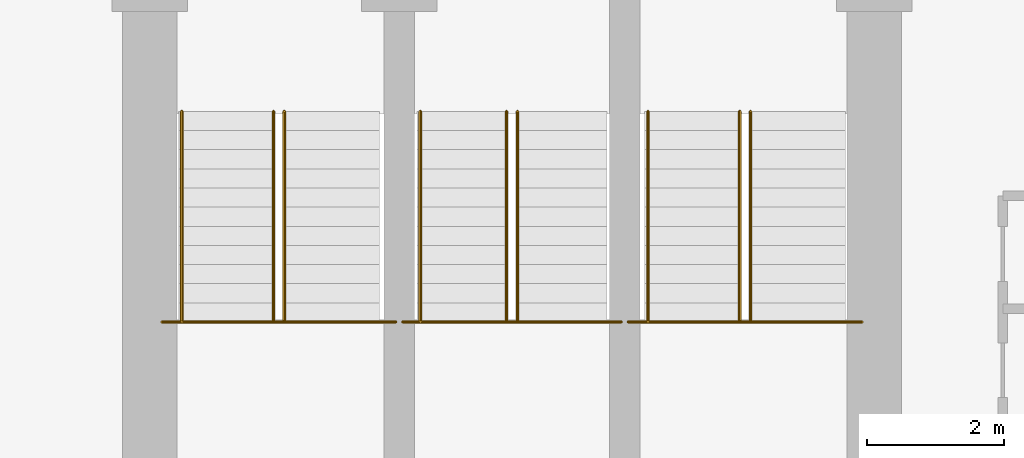
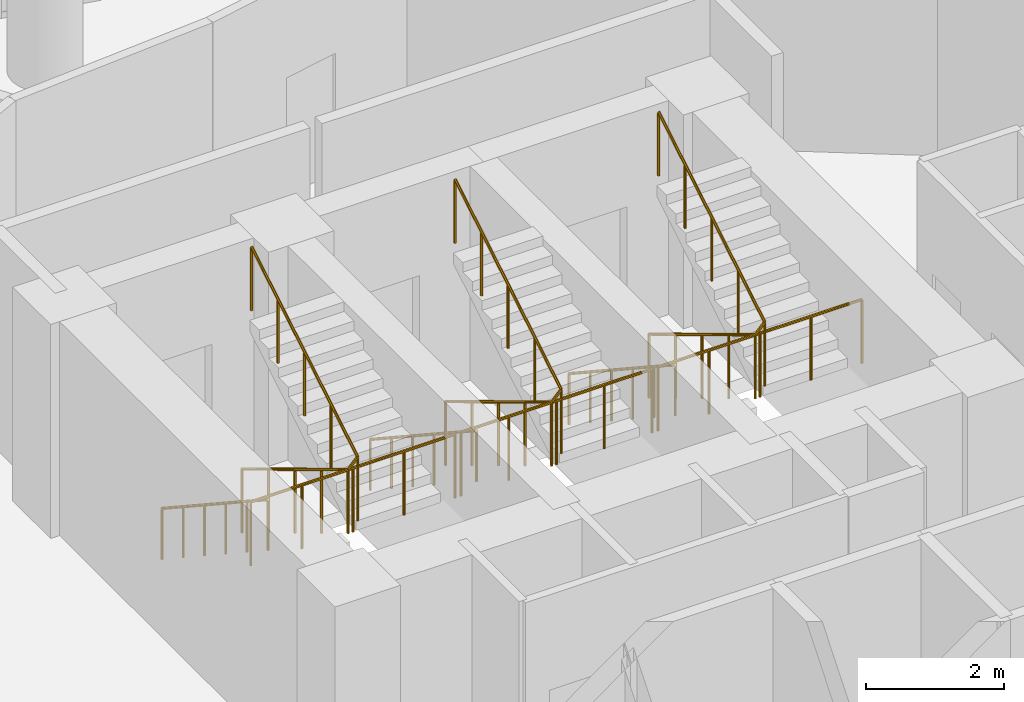
# One storey, part 24 of 24: 9 railings.
"""IFC4 building model written with IfcOpenShell, lengths in metres."""

from ifc_helpers import new_model, si_unit, direction, frame, origin, place, context, subcontext, project, spatial, polyline, outline, extrude, material, type_object, element, save


model = new_model("IFC4")

# Units and contexts
model_context = context("Model", 3, precision=1e-05, world=origin(), true_north=direction((0.0, 1.0)))
body_context = subcontext(model_context, "Body", "Model", "MODEL_VIEW")
ifc_project = project(units=[si_unit("LENGTHUNIT", "METRE"), si_unit("AREAUNIT", "SQUARE_METRE"), si_unit("VOLUMEUNIT", "CUBIC_METRE"), si_unit("PLANEANGLEUNIT", "RADIAN"), si_unit("MASSUNIT", "GRAM", prefix="KILO")], contexts=[model_context])

# Site, building, storey
site_placement = place(None, origin())
site = spatial("IfcSite", under=ifc_project, at=site_placement, CompositionType="ELEMENT")
building_placement = place(site_placement, origin())
building = spatial("IfcBuilding", under=site, at=building_placement, Name="Nuhasar Tower", CompositionType="ELEMENT")
storey_placement = place(building_placement, frame((0.0, 0.0, 29.10009765625)))
storey = spatial("IfcBuildingStorey", under=building, at=storey_placement, Name="L06", CompositionType="ELEMENT", Elevation=29.10009765625)

# Railings
ifc_material_1 = material(Name="Steel S355", Category="steel")
railing_type_1 = type_object("IfcRailingType", Name="RLG-STAIR-GUARD-1150", PredefinedType="GUARDRAIL", material=ifc_material_1)
railing_1_placement = place(storey_placement, frame((33.8798828125, 32.205078125, 2.02490234375)))
element("IfcRailing", 1, at=railing_1_placement, inside=storey, type_object=railing_type_1, Name="L06 Stair ST-01 Guardrail LND", PredefinedType="GUARDRAIL", context=body_context, shape_type="SweptSolid", body=[
    extrude(outline(polyline([(0.024169921875, 0.0), (0.01708984375, 0.01708984375), (0.0, 0.024169921875), (-0.01708984375, 0.01708984375), (-0.024169921875, 0.0), (-0.01708984375, -0.01708984375), (0.0, -0.024169921875), (0.01708984375, -0.01708984375), (0.024169921875, 0.0)])), frame((0.0, 0.0, 1.1259765625), z_axis=(1.0, 0.0, 0.0), x_axis=(0.0, 1.0, 0.0)), (0.0, 0.0, 1.0), 3.420166015625),
    extrude(outline(polyline([(0.02099609375, 0.0), (0.014892578125, 0.014892578125), (0.0, 0.02099609375), (-0.014892578125, 0.014892578125), (-0.02099609375, 0.0), (-0.014892578125, -0.014892578125), (0.0, -0.02099609375), (0.014892578125, -0.014892578125), (0.02099609375, 0.0)])), origin(), (0.0, 0.0, 1.0), 1.101806640625),
    extrude(outline(polyline([(0.02099609375, 0.0), (0.014892578125, 0.014892578125), (0.0, 0.02099609375), (-0.014892578125, 0.014892578125), (-0.02099609375, 0.0), (-0.014892578125, -0.014892578125), (0.0, -0.02099609375), (0.014892578125, -0.014892578125), (0.02099609375, 0.0)])), frame((0.85498046875, 0.0, 0.0)), (0.0, 0.0, 1.0), 1.101806640625),
    extrude(outline(polyline([(0.02099609375, 0.0), (0.014892578125, 0.014892578125), (0.0, 0.02099609375), (-0.014892578125, 0.014892578125), (-0.02099609375, 0.0), (-0.014892578125, -0.014892578125), (0.0, -0.02099609375), (0.014892578125, -0.014892578125), (0.02099609375, 0.0)])), frame((1.7099609375, 0.0, 0.0)), (0.0, 0.0, 1.0), 1.101806640625),
    extrude(outline(polyline([(0.02099609375, 0.0), (0.014892578125, 0.014892578125), (0.0, 0.02099609375), (-0.014892578125, 0.014892578125), (-0.02099609375, 0.0), (-0.014892578125, -0.014892578125), (0.0, -0.02099609375), (0.014892578125, -0.014892578125), (0.02099609375, 0.0)])), frame((2.565185546875, 0.0, 0.0)), (0.0, 0.0, 1.0), 1.101806640625),
    extrude(outline(polyline([(0.02099609375, 0.0), (0.014892578125, 0.014892578125), (0.0, 0.02099609375), (-0.014892578125, 0.014892578125), (-0.02099609375, 0.0), (-0.014892578125, -0.014892578125), (0.0, -0.02099609375), (0.014892578125, -0.014892578125), (0.02099609375, 0.0)])), frame((3.420166015625, 0.0, 0.0)), (0.0, 0.0, 1.0), 1.101806640625),
])
railing_2_placement = place(storey_placement, frame((35.510009765625, 35.284912109375, 0.1689453125)))
element("IfcRailing", 2, at=railing_2_placement, inside=storey, type_object=railing_type_1, Name="L06 Stair ST-01 Guardrail SLT", PredefinedType="GUARDRAIL", context=body_context, shape_type="SweptSolid", body=[
    extrude(outline(polyline([(0.024169921875, 0.0), (0.01708984375, 0.01708984375), (0.0, 0.024169921875), (-0.01708984375, 0.01708984375), (-0.024169921875, 0.0), (-0.01708984375, -0.01708984375), (0.0, -0.024169921875), (0.01708984375, -0.01708984375), (0.024169921875, 0.0)])), frame((0.0, 0.0, 1.1259765625), z_axis=(0.0, -0.856502863198, 0.516142272377), x_axis=(1.0, 0.0, 0.0)), (0.0, 0.0, 1.0), 3.595703125),
    extrude(outline(polyline([(0.024169921875, 0.0), (0.01708984375, 0.01708984375), (0.0, 0.024169921875), (-0.01708984375, 0.01708984375), (-0.024169921875, 0.0), (-0.01708984375, -0.01708984375), (0.0, -0.024169921875), (0.01708984375, -0.01708984375), (0.024169921875, 0.0)])), frame((0.0, -3.079833984375, 2.98193359375), z_axis=(0.687424367727, 0.0, 0.726255973232), x_axis=(0.0, 1.0, 0.0)), (0.0, 0.0, 1.0), 0.232666015625),
    extrude(outline(polyline([(0.024169921875, 0.0), (0.01708984375, 0.01708984375), (0.0, 0.024169921875), (-0.01708984375, 0.01708984375), (-0.024169921875, 0.0), (-0.01708984375, -0.01708984375), (0.0, -0.024169921875), (0.01708984375, -0.01708984375), (0.024169921875, 0.0)])), frame((0.159912109375, -3.079833984375, 3.15087890625), z_axis=(0.0, 0.856502863198, 0.516142272377), x_axis=(-1.0, 0.0, 0.0)), (0.0, 0.0, 1.0), 3.595703125),
    extrude(outline(polyline([(0.02099609375, 0.0), (0.014892578125, 0.014892578125), (0.0, 0.02099609375), (-0.014892578125, 0.014892578125), (-0.02099609375, 0.0), (-0.014892578125, -0.014892578125), (0.0, -0.02099609375), (0.014892578125, -0.014892578125), (0.02099609375, 0.0)])), origin(), (0.0, 0.0, 1.0), 1.101806640625),
    extrude(outline(polyline([(0.02099609375, 0.0), (0.014892578125, 0.014892578125), (0.0, 0.02099609375), (-0.014892578125, 0.014892578125), (-0.02099609375, 0.0), (-0.014892578125, -0.014892578125), (0.0, -0.02099609375), (0.014892578125, -0.014892578125), (0.02099609375, 0.0)])), frame((0.0, -0.77001953125, 0.4638671875)), (0.0, 0.0, 1.0), 1.101806640625),
    extrude(outline(polyline([(0.02099609375, 0.0), (0.014892578125, 0.014892578125), (0.0, 0.02099609375), (-0.014892578125, 0.014892578125), (-0.02099609375, 0.0), (-0.014892578125, -0.014892578125), (0.0, -0.02099609375), (0.014892578125, -0.014892578125), (0.02099609375, 0.0)])), frame((0.0, -1.5400390625, 0.927978515625)), (0.0, 0.0, 1.0), 1.101806640625),
    extrude(outline(polyline([(0.02099609375, 0.0), (0.014892578125, 0.014892578125), (0.0, 0.02099609375), (-0.014892578125, 0.014892578125), (-0.02099609375, 0.0), (-0.014892578125, -0.014892578125), (0.0, -0.02099609375), (0.014892578125, -0.014892578125), (0.02099609375, 0.0)])), frame((0.0, -2.309814453125, 1.39208984375)), (0.0, 0.0, 1.0), 1.101806640625),
    extrude(outline(polyline([(0.02099609375, 0.0), (0.014892578125, 0.014892578125), (0.0, 0.02099609375), (-0.014892578125, 0.014892578125), (-0.02099609375, 0.0), (-0.014892578125, -0.014892578125), (0.0, -0.02099609375), (0.014892578125, -0.014892578125), (0.02099609375, 0.0)])), frame((0.0, -3.079833984375, 1.85595703125)), (0.0, 0.0, 1.0), 1.101806640625),
    extrude(outline(polyline([(0.02099609375, 0.0), (0.014892578125, 0.014892578125), (0.0, 0.02099609375), (-0.014892578125, 0.014892578125), (-0.02099609375, 0.0), (-0.014892578125, -0.014892578125), (0.0, -0.02099609375), (0.014892578125, -0.014892578125), (0.02099609375, 0.0)])), frame((0.159912109375, -3.079833984375, 2.02490234375)), (0.0, 0.0, 1.0), 1.101806640625),
    extrude(outline(polyline([(0.02099609375, 0.0), (0.014892578125, 0.014892578125), (0.0, 0.02099609375), (-0.014892578125, 0.014892578125), (-0.02099609375, 0.0), (-0.014892578125, -0.014892578125), (0.0, -0.02099609375), (0.014892578125, -0.014892578125), (0.02099609375, 0.0)])), frame((0.159912109375, -2.309814453125, 2.48876953125)), (0.0, 0.0, 1.0), 1.101806640625),
    extrude(outline(polyline([(0.02099609375, 0.0), (0.014892578125, 0.014892578125), (0.0, 0.02099609375), (-0.014892578125, 0.014892578125), (-0.02099609375, 0.0), (-0.014892578125, -0.014892578125), (0.0, -0.02099609375), (0.014892578125, -0.014892578125), (0.02099609375, 0.0)])), frame((0.159912109375, -1.5400390625, 2.952880859375)), (0.0, 0.0, 1.0), 1.101806640625),
    extrude(outline(polyline([(0.02099609375, 0.0), (0.014892578125, 0.014892578125), (0.0, 0.02099609375), (-0.014892578125, 0.014892578125), (-0.02099609375, 0.0), (-0.014892578125, -0.014892578125), (0.0, -0.02099609375), (0.014892578125, -0.014892578125), (0.02099609375, 0.0)])), frame((0.159912109375, -0.77001953125, 3.4169921875)), (0.0, 0.0, 1.0), 1.101806640625),
    extrude(outline(polyline([(0.02099609375, 0.0), (0.014892578125, 0.014892578125), (0.0, 0.02099609375), (-0.014892578125, 0.014892578125), (-0.02099609375, 0.0), (-0.014892578125, -0.014892578125), (0.0, -0.02099609375), (0.014892578125, -0.014892578125), (0.02099609375, 0.0)])), frame((0.159912109375, 0.0, 3.880859375)), (0.0, 0.0, 1.0), 1.101806640625),
])
railing_3_placement = place(storey_placement, frame((37.39990234375, 32.205078125, 2.02490234375)))
element("IfcRailing", 3, at=railing_3_placement, inside=storey, type_object=railing_type_1, Name="L06 Stair ST-03 Guardrail LND", PredefinedType="GUARDRAIL", context=body_context, shape_type="SweptSolid", body=[
    extrude(outline(polyline([(0.024169921875, 0.0), (0.01708984375, 0.01708984375), (0.0, 0.024169921875), (-0.01708984375, 0.01708984375), (-0.024169921875, 0.0), (-0.01708984375, -0.01708984375), (0.0, -0.024169921875), (0.01708984375, -0.01708984375), (0.024169921875, 0.0)])), frame((0.0, 0.0, 1.1259765625), z_axis=(1.0, 0.0, 0.0), x_axis=(0.0, 1.0, 0.0)), (0.0, 0.0, 1.0), 3.2001953125),
    extrude(outline(polyline([(0.02099609375, 0.0), (0.014892578125, 0.014892578125), (0.0, 0.02099609375), (-0.014892578125, 0.014892578125), (-0.02099609375, 0.0), (-0.014892578125, -0.014892578125), (0.0, -0.02099609375), (0.014892578125, -0.014892578125), (0.02099609375, 0.0)])), origin(), (0.0, 0.0, 1.0), 1.101806640625),
    extrude(outline(polyline([(0.02099609375, 0.0), (0.014892578125, 0.014892578125), (0.0, 0.02099609375), (-0.014892578125, 0.014892578125), (-0.02099609375, 0.0), (-0.014892578125, -0.014892578125), (0.0, -0.02099609375), (0.014892578125, -0.014892578125), (0.02099609375, 0.0)])), frame((0.800048828125, 0.0, 0.0)), (0.0, 0.0, 1.0), 1.101806640625),
    extrude(outline(polyline([(0.02099609375, 0.0), (0.014892578125, 0.014892578125), (0.0, 0.02099609375), (-0.014892578125, 0.014892578125), (-0.02099609375, 0.0), (-0.014892578125, -0.014892578125), (0.0, -0.02099609375), (0.014892578125, -0.014892578125), (0.02099609375, 0.0)])), frame((1.60009765625, 0.0, 0.0)), (0.0, 0.0, 1.0), 1.101806640625),
    extrude(outline(polyline([(0.02099609375, 0.0), (0.014892578125, 0.014892578125), (0.0, 0.02099609375), (-0.014892578125, 0.014892578125), (-0.02099609375, 0.0), (-0.014892578125, -0.014892578125), (0.0, -0.02099609375), (0.014892578125, -0.014892578125), (0.02099609375, 0.0)])), frame((2.400146484375, 0.0, 0.0)), (0.0, 0.0, 1.0), 1.101806640625),
    extrude(outline(polyline([(0.02099609375, 0.0), (0.014892578125, 0.014892578125), (0.0, 0.02099609375), (-0.014892578125, 0.014892578125), (-0.02099609375, 0.0), (-0.014892578125, -0.014892578125), (0.0, -0.02099609375), (0.014892578125, -0.014892578125), (0.02099609375, 0.0)])), frame((3.2001953125, 0.0, 0.0)), (0.0, 0.0, 1.0), 1.101806640625),
])
railing_4_placement = place(storey_placement, frame((38.919921875, 35.284912109375, 0.1689453125)))
element("IfcRailing", 4, at=railing_4_placement, inside=storey, type_object=railing_type_1, Name="L06 Stair ST-03 Guardrail SLT", PredefinedType="GUARDRAIL", context=body_context, shape_type="SweptSolid", body=[
    extrude(outline(polyline([(0.024169921875, 0.0), (0.01708984375, 0.01708984375), (0.0, 0.024169921875), (-0.01708984375, 0.01708984375), (-0.024169921875, 0.0), (-0.01708984375, -0.01708984375), (0.0, -0.024169921875), (0.01708984375, -0.01708984375), (0.024169921875, 0.0)])), frame((0.0, 0.0, 1.1259765625), z_axis=(0.0, -0.856502863198, 0.516142272377), x_axis=(1.0, 0.0, 0.0)), (0.0, 0.0, 1.0), 3.595703125),
    extrude(outline(polyline([(0.024169921875, 0.0), (0.01708984375, 0.01708984375), (0.0, 0.024169921875), (-0.01708984375, 0.01708984375), (-0.024169921875, 0.0), (-0.01708984375, -0.01708984375), (0.0, -0.024169921875), (0.01708984375, -0.01708984375), (0.024169921875, 0.0)])), frame((0.0, -3.079833984375, 2.98193359375), z_axis=(0.687977326998, 0.0, 0.725732180309), x_axis=(0.0, 1.0, 0.0)), (0.0, 0.0, 1.0), 0.23291015625),
    extrude(outline(polyline([(0.024169921875, 0.0), (0.01708984375, 0.01708984375), (0.0, 0.024169921875), (-0.01708984375, 0.01708984375), (-0.024169921875, 0.0), (-0.01708984375, -0.01708984375), (0.0, -0.024169921875), (0.01708984375, -0.01708984375), (0.024169921875, 0.0)])), frame((0.16015625, -3.079833984375, 3.15087890625), z_axis=(0.0, 0.856502863198, 0.516142272377), x_axis=(-1.0, 0.0, 0.0)), (0.0, 0.0, 1.0), 3.595703125),
    extrude(outline(polyline([(0.02099609375, 0.0), (0.014892578125, 0.014892578125), (0.0, 0.02099609375), (-0.014892578125, 0.014892578125), (-0.02099609375, 0.0), (-0.014892578125, -0.014892578125), (0.0, -0.02099609375), (0.014892578125, -0.014892578125), (0.02099609375, 0.0)])), origin(), (0.0, 0.0, 1.0), 1.101806640625),
    extrude(outline(polyline([(0.02099609375, 0.0), (0.014892578125, 0.014892578125), (0.0, 0.02099609375), (-0.014892578125, 0.014892578125), (-0.02099609375, 0.0), (-0.014892578125, -0.014892578125), (0.0, -0.02099609375), (0.014892578125, -0.014892578125), (0.02099609375, 0.0)])), frame((0.0, -0.77001953125, 0.4638671875)), (0.0, 0.0, 1.0), 1.101806640625),
    extrude(outline(polyline([(0.02099609375, 0.0), (0.014892578125, 0.014892578125), (0.0, 0.02099609375), (-0.014892578125, 0.014892578125), (-0.02099609375, 0.0), (-0.014892578125, -0.014892578125), (0.0, -0.02099609375), (0.014892578125, -0.014892578125), (0.02099609375, 0.0)])), frame((0.0, -1.5400390625, 0.927978515625)), (0.0, 0.0, 1.0), 1.101806640625),
    extrude(outline(polyline([(0.02099609375, 0.0), (0.014892578125, 0.014892578125), (0.0, 0.02099609375), (-0.014892578125, 0.014892578125), (-0.02099609375, 0.0), (-0.014892578125, -0.014892578125), (0.0, -0.02099609375), (0.014892578125, -0.014892578125), (0.02099609375, 0.0)])), frame((0.0, -2.309814453125, 1.39208984375)), (0.0, 0.0, 1.0), 1.101806640625),
    extrude(outline(polyline([(0.02099609375, 0.0), (0.014892578125, 0.014892578125), (0.0, 0.02099609375), (-0.014892578125, 0.014892578125), (-0.02099609375, 0.0), (-0.014892578125, -0.014892578125), (0.0, -0.02099609375), (0.014892578125, -0.014892578125), (0.02099609375, 0.0)])), frame((0.0, -3.079833984375, 1.85595703125)), (0.0, 0.0, 1.0), 1.101806640625),
    extrude(outline(polyline([(0.02099609375, 0.0), (0.014892578125, 0.014892578125), (0.0, 0.02099609375), (-0.014892578125, 0.014892578125), (-0.02099609375, 0.0), (-0.014892578125, -0.014892578125), (0.0, -0.02099609375), (0.014892578125, -0.014892578125), (0.02099609375, 0.0)])), frame((0.16015625, -3.079833984375, 2.02490234375)), (0.0, 0.0, 1.0), 1.101806640625),
    extrude(outline(polyline([(0.02099609375, 0.0), (0.014892578125, 0.014892578125), (0.0, 0.02099609375), (-0.014892578125, 0.014892578125), (-0.02099609375, 0.0), (-0.014892578125, -0.014892578125), (0.0, -0.02099609375), (0.014892578125, -0.014892578125), (0.02099609375, 0.0)])), frame((0.16015625, -2.309814453125, 2.48876953125)), (0.0, 0.0, 1.0), 1.101806640625),
    extrude(outline(polyline([(0.02099609375, 0.0), (0.014892578125, 0.014892578125), (0.0, 0.02099609375), (-0.014892578125, 0.014892578125), (-0.02099609375, 0.0), (-0.014892578125, -0.014892578125), (0.0, -0.02099609375), (0.014892578125, -0.014892578125), (0.02099609375, 0.0)])), frame((0.16015625, -1.5400390625, 2.952880859375)), (0.0, 0.0, 1.0), 1.101806640625),
    extrude(outline(polyline([(0.02099609375, 0.0), (0.014892578125, 0.014892578125), (0.0, 0.02099609375), (-0.014892578125, 0.014892578125), (-0.02099609375, 0.0), (-0.014892578125, -0.014892578125), (0.0, -0.02099609375), (0.014892578125, -0.014892578125), (0.02099609375, 0.0)])), frame((0.16015625, -0.77001953125, 3.4169921875)), (0.0, 0.0, 1.0), 1.101806640625),
    extrude(outline(polyline([(0.02099609375, 0.0), (0.014892578125, 0.014892578125), (0.0, 0.02099609375), (-0.014892578125, 0.014892578125), (-0.02099609375, 0.0), (-0.014892578125, -0.014892578125), (0.0, -0.02099609375), (0.014892578125, -0.014892578125), (0.02099609375, 0.0)])), frame((0.16015625, 0.0, 3.880859375)), (0.0, 0.0, 1.0), 1.101806640625),
])
railing_5_placement = place(storey_placement, frame((40.699951171875, 32.205078125, 2.02490234375)))
element("IfcRailing", 5, at=railing_5_placement, inside=storey, type_object=railing_type_1, Name="L06 Stair ST-02 Guardrail LND", PredefinedType="GUARDRAIL", context=body_context, shape_type="SweptSolid", body=[
    extrude(outline(polyline([(0.024169921875, 0.0), (0.01708984375, 0.01708984375), (0.0, 0.024169921875), (-0.01708984375, 0.01708984375), (-0.024169921875, 0.0), (-0.01708984375, -0.01708984375), (0.0, -0.024169921875), (0.01708984375, -0.01708984375), (0.024169921875, 0.0)])), frame((0.0, 0.0, 1.1259765625), z_axis=(1.0, 0.0, 0.0), x_axis=(0.0, 1.0, 0.0)), (0.0, 0.0, 1.0), 3.420166015625),
    extrude(outline(polyline([(0.02099609375, 0.0), (0.014892578125, 0.014892578125), (0.0, 0.02099609375), (-0.014892578125, 0.014892578125), (-0.02099609375, 0.0), (-0.014892578125, -0.014892578125), (0.0, -0.02099609375), (0.014892578125, -0.014892578125), (0.02099609375, 0.0)])), origin(), (0.0, 0.0, 1.0), 1.101806640625),
    extrude(outline(polyline([(0.02099609375, 0.0), (0.014892578125, 0.014892578125), (0.0, 0.02099609375), (-0.014892578125, 0.014892578125), (-0.02099609375, 0.0), (-0.014892578125, -0.014892578125), (0.0, -0.02099609375), (0.014892578125, -0.014892578125), (0.02099609375, 0.0)])), frame((0.85498046875, 0.0, 0.0)), (0.0, 0.0, 1.0), 1.101806640625),
    extrude(outline(polyline([(0.02099609375, 0.0), (0.014892578125, 0.014892578125), (0.0, 0.02099609375), (-0.014892578125, 0.014892578125), (-0.02099609375, 0.0), (-0.014892578125, -0.014892578125), (0.0, -0.02099609375), (0.014892578125, -0.014892578125), (0.02099609375, 0.0)])), frame((1.7099609375, 0.0, 0.0)), (0.0, 0.0, 1.0), 1.101806640625),
    extrude(outline(polyline([(0.02099609375, 0.0), (0.014892578125, 0.014892578125), (0.0, 0.02099609375), (-0.014892578125, 0.014892578125), (-0.02099609375, 0.0), (-0.014892578125, -0.014892578125), (0.0, -0.02099609375), (0.014892578125, -0.014892578125), (0.02099609375, 0.0)])), frame((2.565185546875, 0.0, 0.0)), (0.0, 0.0, 1.0), 1.101806640625),
    extrude(outline(polyline([(0.02099609375, 0.0), (0.014892578125, 0.014892578125), (0.0, 0.02099609375), (-0.014892578125, 0.014892578125), (-0.02099609375, 0.0), (-0.014892578125, -0.014892578125), (0.0, -0.02099609375), (0.014892578125, -0.014892578125), (0.02099609375, 0.0)])), frame((3.420166015625, 0.0, 0.0)), (0.0, 0.0, 1.0), 1.101806640625),
])
railing_6_placement = place(storey_placement, frame((42.330078125, 35.284912109375, 0.1689453125)))
element("IfcRailing", 6, at=railing_6_placement, inside=storey, type_object=railing_type_1, Name="L06 Stair ST-02 Guardrail SLT", PredefinedType="GUARDRAIL", context=body_context, shape_type="SweptSolid", body=[
    extrude(outline(polyline([(0.024169921875, 0.0), (0.01708984375, 0.01708984375), (0.0, 0.024169921875), (-0.01708984375, 0.01708984375), (-0.024169921875, 0.0), (-0.01708984375, -0.01708984375), (0.0, -0.024169921875), (0.01708984375, -0.01708984375), (0.024169921875, 0.0)])), frame((0.0, 0.0, 1.1259765625), z_axis=(0.0, -0.856502863198, 0.516142272377), x_axis=(1.0, 0.0, 0.0)), (0.0, 0.0, 1.0), 3.595703125),
    extrude(outline(polyline([(0.024169921875, 0.0), (0.01708984375, 0.01708984375), (0.0, 0.024169921875), (-0.01708984375, 0.01708984375), (-0.024169921875, 0.0), (-0.01708984375, -0.01708984375), (0.0, -0.024169921875), (0.01708984375, -0.01708984375), (0.024169921875, 0.0)])), frame((0.0, -3.079833984375, 2.98193359375), z_axis=(0.687424367727, 0.0, 0.726255973232), x_axis=(0.0, 1.0, 0.0)), (0.0, 0.0, 1.0), 0.232666015625),
    extrude(outline(polyline([(0.024169921875, 0.0), (0.01708984375, 0.01708984375), (0.0, 0.024169921875), (-0.01708984375, 0.01708984375), (-0.024169921875, 0.0), (-0.01708984375, -0.01708984375), (0.0, -0.024169921875), (0.01708984375, -0.01708984375), (0.024169921875, 0.0)])), frame((0.159912109375, -3.079833984375, 3.15087890625), z_axis=(0.0, 0.856502863198, 0.516142272377), x_axis=(-1.0, 0.0, 0.0)), (0.0, 0.0, 1.0), 3.595703125),
    extrude(outline(polyline([(0.02099609375, 0.0), (0.014892578125, 0.014892578125), (0.0, 0.02099609375), (-0.014892578125, 0.014892578125), (-0.02099609375, 0.0), (-0.014892578125, -0.014892578125), (0.0, -0.02099609375), (0.014892578125, -0.014892578125), (0.02099609375, 0.0)])), origin(), (0.0, 0.0, 1.0), 1.101806640625),
    extrude(outline(polyline([(0.02099609375, 0.0), (0.014892578125, 0.014892578125), (0.0, 0.02099609375), (-0.014892578125, 0.014892578125), (-0.02099609375, 0.0), (-0.014892578125, -0.014892578125), (0.0, -0.02099609375), (0.014892578125, -0.014892578125), (0.02099609375, 0.0)])), frame((0.0, -0.77001953125, 0.4638671875)), (0.0, 0.0, 1.0), 1.101806640625),
    extrude(outline(polyline([(0.02099609375, 0.0), (0.014892578125, 0.014892578125), (0.0, 0.02099609375), (-0.014892578125, 0.014892578125), (-0.02099609375, 0.0), (-0.014892578125, -0.014892578125), (0.0, -0.02099609375), (0.014892578125, -0.014892578125), (0.02099609375, 0.0)])), frame((0.0, -1.5400390625, 0.927978515625)), (0.0, 0.0, 1.0), 1.101806640625),
    extrude(outline(polyline([(0.02099609375, 0.0), (0.014892578125, 0.014892578125), (0.0, 0.02099609375), (-0.014892578125, 0.014892578125), (-0.02099609375, 0.0), (-0.014892578125, -0.014892578125), (0.0, -0.02099609375), (0.014892578125, -0.014892578125), (0.02099609375, 0.0)])), frame((0.0, -2.309814453125, 1.39208984375)), (0.0, 0.0, 1.0), 1.101806640625),
    extrude(outline(polyline([(0.02099609375, 0.0), (0.014892578125, 0.014892578125), (0.0, 0.02099609375), (-0.014892578125, 0.014892578125), (-0.02099609375, 0.0), (-0.014892578125, -0.014892578125), (0.0, -0.02099609375), (0.014892578125, -0.014892578125), (0.02099609375, 0.0)])), frame((0.0, -3.079833984375, 1.85595703125)), (0.0, 0.0, 1.0), 1.101806640625),
    extrude(outline(polyline([(0.02099609375, 0.0), (0.014892578125, 0.014892578125), (0.0, 0.02099609375), (-0.014892578125, 0.014892578125), (-0.02099609375, 0.0), (-0.014892578125, -0.014892578125), (0.0, -0.02099609375), (0.014892578125, -0.014892578125), (0.02099609375, 0.0)])), frame((0.159912109375, -3.079833984375, 2.02490234375)), (0.0, 0.0, 1.0), 1.101806640625),
    extrude(outline(polyline([(0.02099609375, 0.0), (0.014892578125, 0.014892578125), (0.0, 0.02099609375), (-0.014892578125, 0.014892578125), (-0.02099609375, 0.0), (-0.014892578125, -0.014892578125), (0.0, -0.02099609375), (0.014892578125, -0.014892578125), (0.02099609375, 0.0)])), frame((0.159912109375, -2.309814453125, 2.48876953125)), (0.0, 0.0, 1.0), 1.101806640625),
    extrude(outline(polyline([(0.02099609375, 0.0), (0.014892578125, 0.014892578125), (0.0, 0.02099609375), (-0.014892578125, 0.014892578125), (-0.02099609375, 0.0), (-0.014892578125, -0.014892578125), (0.0, -0.02099609375), (0.014892578125, -0.014892578125), (0.02099609375, 0.0)])), frame((0.159912109375, -1.5400390625, 2.952880859375)), (0.0, 0.0, 1.0), 1.101806640625),
    extrude(outline(polyline([(0.02099609375, 0.0), (0.014892578125, 0.014892578125), (0.0, 0.02099609375), (-0.014892578125, 0.014892578125), (-0.02099609375, 0.0), (-0.014892578125, -0.014892578125), (0.0, -0.02099609375), (0.014892578125, -0.014892578125), (0.02099609375, 0.0)])), frame((0.159912109375, -0.77001953125, 3.4169921875)), (0.0, 0.0, 1.0), 1.101806640625),
    extrude(outline(polyline([(0.02099609375, 0.0), (0.014892578125, 0.014892578125), (0.0, 0.02099609375), (-0.014892578125, 0.014892578125), (-0.02099609375, 0.0), (-0.014892578125, -0.014892578125), (0.0, -0.02099609375), (0.014892578125, -0.014892578125), (0.02099609375, 0.0)])), frame((0.159912109375, 0.0, 3.880859375)), (0.0, 0.0, 1.0), 1.101806640625),
])
ifc_material_2 = material(Name="Stainless Steel 316L", Category="steel")
railing_type_2 = type_object("IfcRailingType", Name="RLG-STAIR-HAND-920", PredefinedType="HANDRAIL", material=ifc_material_2)
railing_7_placement = place(storey_placement, frame((34.169921875, 35.284912109375, 0.1689453125)))
element("IfcRailing", 7, at=railing_7_placement, inside=storey, type_object=railing_type_2, Name="L06 Stair ST-01 Handrail HND1", PredefinedType="HANDRAIL", context=body_context, shape_type="SweptSolid", body=[
    extrude(outline(polyline([(0.024169921875, 0.0), (0.01708984375, 0.01708984375), (0.0, 0.024169921875), (-0.01708984375, 0.01708984375), (-0.024169921875, 0.0), (-0.01708984375, -0.01708984375), (0.0, -0.024169921875), (0.01708984375, -0.01708984375), (0.024169921875, 0.0)])), frame((0.0, 0.0, 0.89599609375), z_axis=(0.0, -0.83557951683, 0.54936952141), x_axis=(1.0, 0.0, 0.0)), (0.0, 0.0, 1.0), 3.685791015625),
    extrude(outline(polyline([(0.02099609375, 0.0), (0.014892578125, 0.014892578125), (0.0, 0.02099609375), (-0.014892578125, 0.014892578125), (-0.02099609375, 0.0), (-0.014892578125, -0.014892578125), (0.0, -0.02099609375), (0.014892578125, -0.014892578125), (0.02099609375, 0.0)])), origin(), (0.0, 0.0, 1.0), 0.871826171875),
    extrude(outline(polyline([(0.02099609375, 0.0), (0.014892578125, 0.014892578125), (0.0, 0.02099609375), (-0.014892578125, 0.014892578125), (-0.02099609375, 0.0), (-0.014892578125, -0.014892578125), (0.0, -0.02099609375), (0.014892578125, -0.014892578125), (0.02099609375, 0.0)])), frame((0.0, -0.615966796875, 0.405029296875)), (0.0, 0.0, 1.0), 0.871826171875),
    extrude(outline(polyline([(0.02099609375, 0.0), (0.014892578125, 0.014892578125), (0.0, 0.02099609375), (-0.014892578125, 0.014892578125), (-0.02099609375, 0.0), (-0.014892578125, -0.014892578125), (0.0, -0.02099609375), (0.014892578125, -0.014892578125), (0.02099609375, 0.0)])), frame((0.0, -1.23193359375, 0.81005859375)), (0.0, 0.0, 1.0), 0.871826171875),
    extrude(outline(polyline([(0.02099609375, 0.0), (0.014892578125, 0.014892578125), (0.0, 0.02099609375), (-0.014892578125, 0.014892578125), (-0.02099609375, 0.0), (-0.014892578125, -0.014892578125), (0.0, -0.02099609375), (0.014892578125, -0.014892578125), (0.02099609375, 0.0)])), frame((0.0, -1.847900390625, 1.21484375)), (0.0, 0.0, 1.0), 0.871826171875),
    extrude(outline(polyline([(0.02099609375, 0.0), (0.014892578125, 0.014892578125), (0.0, 0.02099609375), (-0.014892578125, 0.014892578125), (-0.02099609375, 0.0), (-0.014892578125, -0.014892578125), (0.0, -0.02099609375), (0.014892578125, -0.014892578125), (0.02099609375, 0.0)])), frame((0.0, -2.4638671875, 1.619873046875)), (0.0, 0.0, 1.0), 0.871826171875),
    extrude(outline(polyline([(0.02099609375, 0.0), (0.014892578125, 0.014892578125), (0.0, 0.02099609375), (-0.014892578125, 0.014892578125), (-0.02099609375, 0.0), (-0.014892578125, -0.014892578125), (0.0, -0.02099609375), (0.014892578125, -0.014892578125), (0.02099609375, 0.0)])), frame((0.0, -3.079833984375, 2.02490234375)), (0.0, 0.0, 1.0), 0.871826171875),
])
railing_8_placement = place(storey_placement, frame((37.659912109375, 35.284912109375, 0.1689453125)))
element("IfcRailing", 8, at=railing_8_placement, inside=storey, type_object=railing_type_2, Name="L06 Stair ST-03 Handrail HND1", PredefinedType="HANDRAIL", context=body_context, shape_type="SweptSolid", body=[
    extrude(outline(polyline([(0.024169921875, 0.0), (0.01708984375, 0.01708984375), (0.0, 0.024169921875), (-0.01708984375, 0.01708984375), (-0.024169921875, 0.0), (-0.01708984375, -0.01708984375), (0.0, -0.024169921875), (0.01708984375, -0.01708984375), (0.024169921875, 0.0)])), frame((0.0, 0.0, 0.89599609375), z_axis=(0.0, -0.83557951683, 0.54936952141), x_axis=(1.0, 0.0, 0.0)), (0.0, 0.0, 1.0), 3.685791015625),
    extrude(outline(polyline([(0.02099609375, 0.0), (0.014892578125, 0.014892578125), (0.0, 0.02099609375), (-0.014892578125, 0.014892578125), (-0.02099609375, 0.0), (-0.014892578125, -0.014892578125), (0.0, -0.02099609375), (0.014892578125, -0.014892578125), (0.02099609375, 0.0)])), origin(), (0.0, 0.0, 1.0), 0.871826171875),
    extrude(outline(polyline([(0.02099609375, 0.0), (0.014892578125, 0.014892578125), (0.0, 0.02099609375), (-0.014892578125, 0.014892578125), (-0.02099609375, 0.0), (-0.014892578125, -0.014892578125), (0.0, -0.02099609375), (0.014892578125, -0.014892578125), (0.02099609375, 0.0)])), frame((0.0, -0.615966796875, 0.405029296875)), (0.0, 0.0, 1.0), 0.871826171875),
    extrude(outline(polyline([(0.02099609375, 0.0), (0.014892578125, 0.014892578125), (0.0, 0.02099609375), (-0.014892578125, 0.014892578125), (-0.02099609375, 0.0), (-0.014892578125, -0.014892578125), (0.0, -0.02099609375), (0.014892578125, -0.014892578125), (0.02099609375, 0.0)])), frame((0.0, -1.23193359375, 0.81005859375)), (0.0, 0.0, 1.0), 0.871826171875),
    extrude(outline(polyline([(0.02099609375, 0.0), (0.014892578125, 0.014892578125), (0.0, 0.02099609375), (-0.014892578125, 0.014892578125), (-0.02099609375, 0.0), (-0.014892578125, -0.014892578125), (0.0, -0.02099609375), (0.014892578125, -0.014892578125), (0.02099609375, 0.0)])), frame((0.0, -1.847900390625, 1.21484375)), (0.0, 0.0, 1.0), 0.871826171875),
    extrude(outline(polyline([(0.02099609375, 0.0), (0.014892578125, 0.014892578125), (0.0, 0.02099609375), (-0.014892578125, 0.014892578125), (-0.02099609375, 0.0), (-0.014892578125, -0.014892578125), (0.0, -0.02099609375), (0.014892578125, -0.014892578125), (0.02099609375, 0.0)])), frame((0.0, -2.4638671875, 1.619873046875)), (0.0, 0.0, 1.0), 0.871826171875),
    extrude(outline(polyline([(0.02099609375, 0.0), (0.014892578125, 0.014892578125), (0.0, 0.02099609375), (-0.014892578125, 0.014892578125), (-0.02099609375, 0.0), (-0.014892578125, -0.014892578125), (0.0, -0.02099609375), (0.014892578125, -0.014892578125), (0.02099609375, 0.0)])), frame((0.0, -3.079833984375, 2.02490234375)), (0.0, 0.0, 1.0), 0.871826171875),
])
railing_9_placement = place(storey_placement, frame((40.989990234375, 35.284912109375, 0.1689453125)))
element("IfcRailing", 9, at=railing_9_placement, inside=storey, type_object=railing_type_2, Name="L06 Stair ST-02 Handrail HND1", PredefinedType="HANDRAIL", context=body_context, shape_type="SweptSolid", body=[
    extrude(outline(polyline([(0.024169921875, 0.0), (0.01708984375, 0.01708984375), (0.0, 0.024169921875), (-0.01708984375, 0.01708984375), (-0.024169921875, 0.0), (-0.01708984375, -0.01708984375), (0.0, -0.024169921875), (0.01708984375, -0.01708984375), (0.024169921875, 0.0)])), frame((0.0, 0.0, 0.89599609375), z_axis=(0.0, -0.83557951683, 0.54936952141), x_axis=(1.0, 0.0, 0.0)), (0.0, 0.0, 1.0), 3.685791015625),
    extrude(outline(polyline([(0.02099609375, 0.0), (0.014892578125, 0.014892578125), (0.0, 0.02099609375), (-0.014892578125, 0.014892578125), (-0.02099609375, 0.0), (-0.014892578125, -0.014892578125), (0.0, -0.02099609375), (0.014892578125, -0.014892578125), (0.02099609375, 0.0)])), origin(), (0.0, 0.0, 1.0), 0.871826171875),
    extrude(outline(polyline([(0.02099609375, 0.0), (0.014892578125, 0.014892578125), (0.0, 0.02099609375), (-0.014892578125, 0.014892578125), (-0.02099609375, 0.0), (-0.014892578125, -0.014892578125), (0.0, -0.02099609375), (0.014892578125, -0.014892578125), (0.02099609375, 0.0)])), frame((0.0, -0.615966796875, 0.405029296875)), (0.0, 0.0, 1.0), 0.871826171875),
    extrude(outline(polyline([(0.02099609375, 0.0), (0.014892578125, 0.014892578125), (0.0, 0.02099609375), (-0.014892578125, 0.014892578125), (-0.02099609375, 0.0), (-0.014892578125, -0.014892578125), (0.0, -0.02099609375), (0.014892578125, -0.014892578125), (0.02099609375, 0.0)])), frame((0.0, -1.23193359375, 0.81005859375)), (0.0, 0.0, 1.0), 0.871826171875),
    extrude(outline(polyline([(0.02099609375, 0.0), (0.014892578125, 0.014892578125), (0.0, 0.02099609375), (-0.014892578125, 0.014892578125), (-0.02099609375, 0.0), (-0.014892578125, -0.014892578125), (0.0, -0.02099609375), (0.014892578125, -0.014892578125), (0.02099609375, 0.0)])), frame((0.0, -1.847900390625, 1.21484375)), (0.0, 0.0, 1.0), 0.871826171875),
    extrude(outline(polyline([(0.02099609375, 0.0), (0.014892578125, 0.014892578125), (0.0, 0.02099609375), (-0.014892578125, 0.014892578125), (-0.02099609375, 0.0), (-0.014892578125, -0.014892578125), (0.0, -0.02099609375), (0.014892578125, -0.014892578125), (0.02099609375, 0.0)])), frame((0.0, -2.4638671875, 1.619873046875)), (0.0, 0.0, 1.0), 0.871826171875),
    extrude(outline(polyline([(0.02099609375, 0.0), (0.014892578125, 0.014892578125), (0.0, 0.02099609375), (-0.014892578125, 0.014892578125), (-0.02099609375, 0.0), (-0.014892578125, -0.014892578125), (0.0, -0.02099609375), (0.014892578125, -0.014892578125), (0.02099609375, 0.0)])), frame((0.0, -3.079833984375, 2.02490234375)), (0.0, 0.0, 1.0), 0.871826171875),
])

save(model, "model.ifc")
